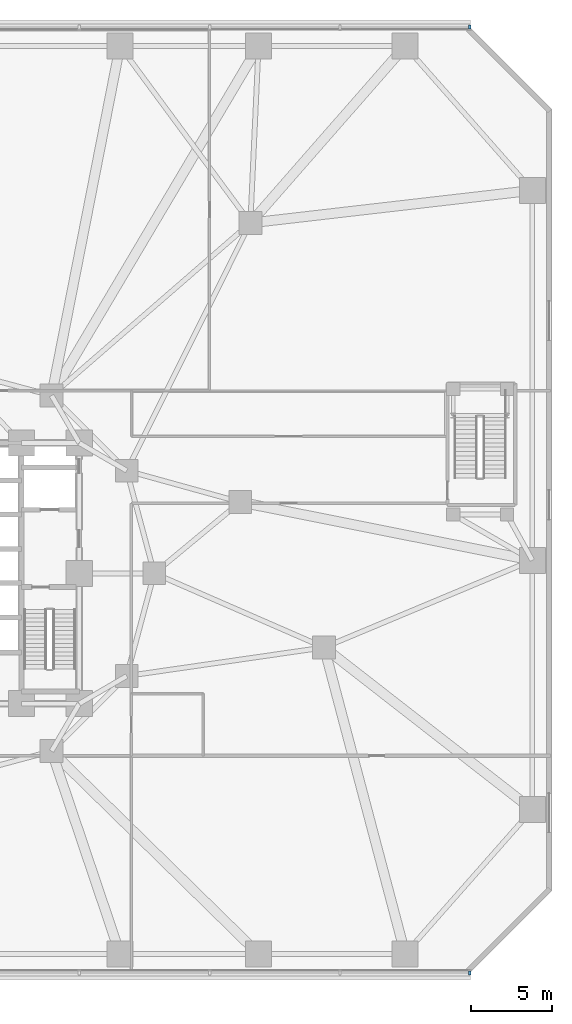
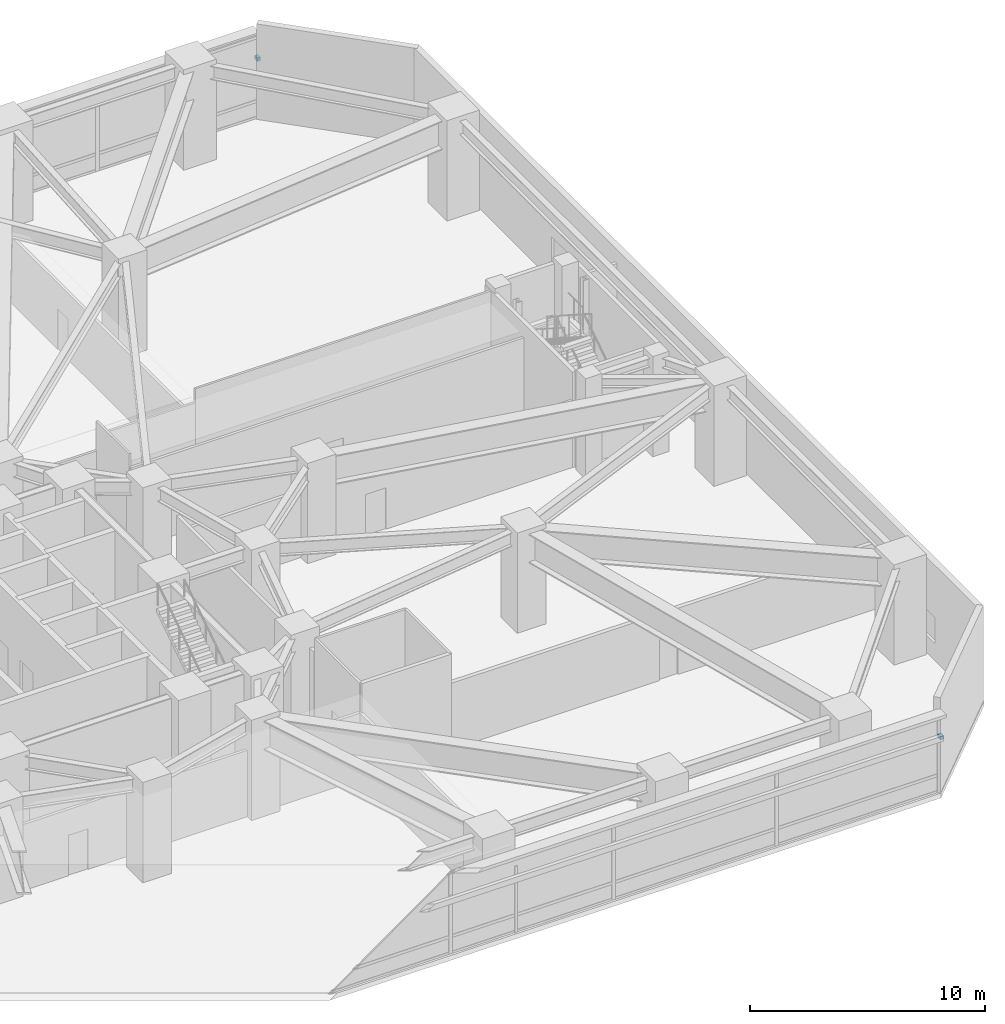
# One storey, part 21 of 27: 2 discrete accessories.
"""IFC4 building model written with IfcOpenShell, lengths in metres."""

from ifc_helpers import new_model, si_unit, direction, frame, origin, origin_2d, place, context, subcontext, project, spatial, rectangle, extrude, material, type_object, element, save


model = new_model("IFC4")

# Units and contexts
model_context = context("Model", 3, precision=1e-05, world=origin(), true_north=direction((0.0, 1.0)))
body_context = subcontext(model_context, "Body", "Model", "MODEL_VIEW")
ifc_project = project(units=[si_unit("LENGTHUNIT", "METRE"), si_unit("AREAUNIT", "SQUARE_METRE"), si_unit("VOLUMEUNIT", "CUBIC_METRE"), si_unit("PLANEANGLEUNIT", "RADIAN"), si_unit("MASSUNIT", "GRAM", prefix="KILO")], contexts=[model_context])

# Site, building, storey
site_placement = place(None, origin())
site = spatial("IfcSite", under=ifc_project, at=site_placement, CompositionType="ELEMENT")
building_placement = place(site_placement, origin())
building = spatial("IfcBuilding", under=site, at=building_placement, Name="Terralouvre Media Tower", CompositionType="ELEMENT")
storey_placement = place(building_placement, frame((0.0, 0.0, 5.199951171875)))
storey = spatial("IfcBuildingStorey", under=building, at=storey_placement, Name="L01", CompositionType="ELEMENT", Elevation=5.199951171875)

# Discrete accessories
ifc_material = material(Name="Anodised extruded aluminium 6063-T6", Category="aluminium")
discrete_accessory_type = type_object("IfcDiscreteAccessoryType", Name="Mullion Stand-Off Baguette Fixing Bracket BK-01", PredefinedType="BRACKET", material=ifc_material)
for number, where, z_axis, x_axis, name in (
    (1, (31.96240234375, -24.52001953125, 2.87451171875), (0.0, 0.0, 1.0), (1.0, 0.0, 0.0), "CW-L01-F0 Baguette Outrigger Bracket 1.09"),
    (2, (31.96240234375, 33.52001953125, 2.87451171875), (0.0, 0.0, 1.0), (-1.0, 0.0, 0.0), "CW-L01-F4 Baguette Outrigger Bracket 1.01"),
):
    element("IfcDiscreteAccessory", number, at=place(storey_placement, frame(where, z_axis=z_axis, x_axis=x_axis)), inside=storey, type_object=discrete_accessory_type, Name=name, PredefinedType="BRACKET", context=body_context, shape_type="SweptSolid", body=[
        extrude(rectangle(XDim=0.139892578125, YDim=0.239990234375, at=origin_2d()), origin(), (0.0, 0.0, 1.0), 0.179931640625),
    ])

save(model, "model.ifc")
